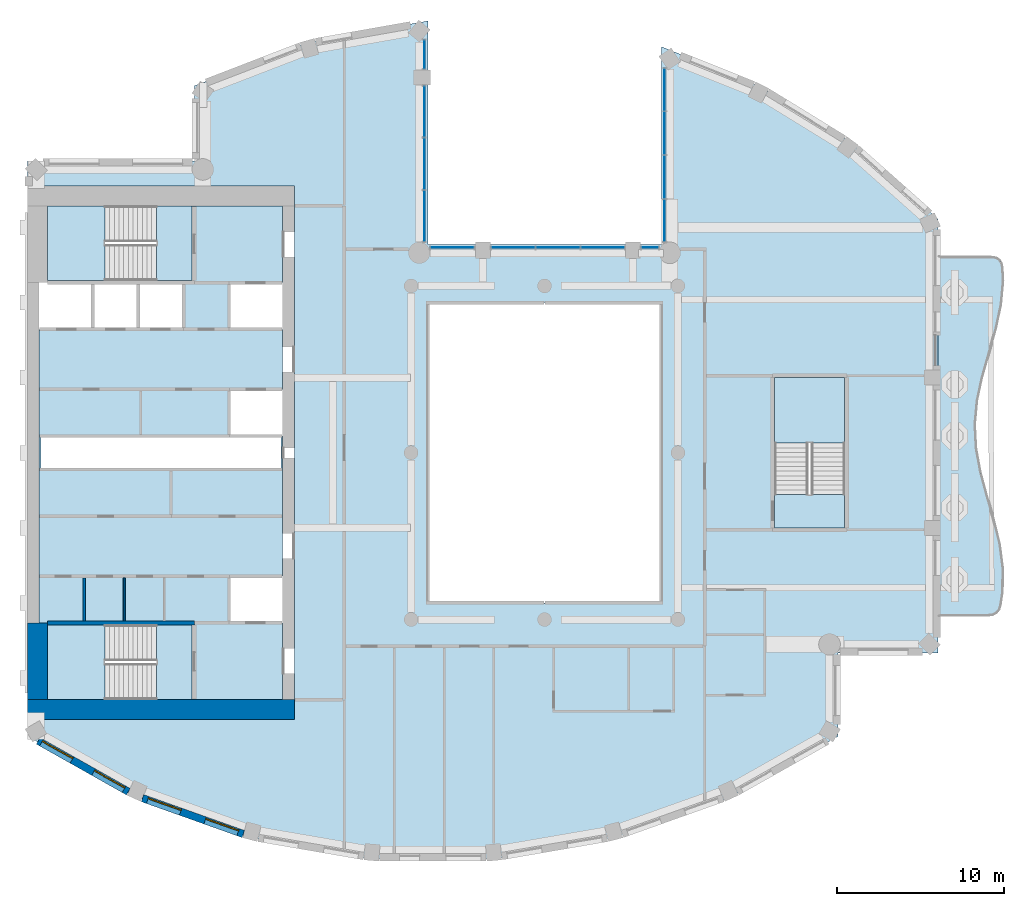
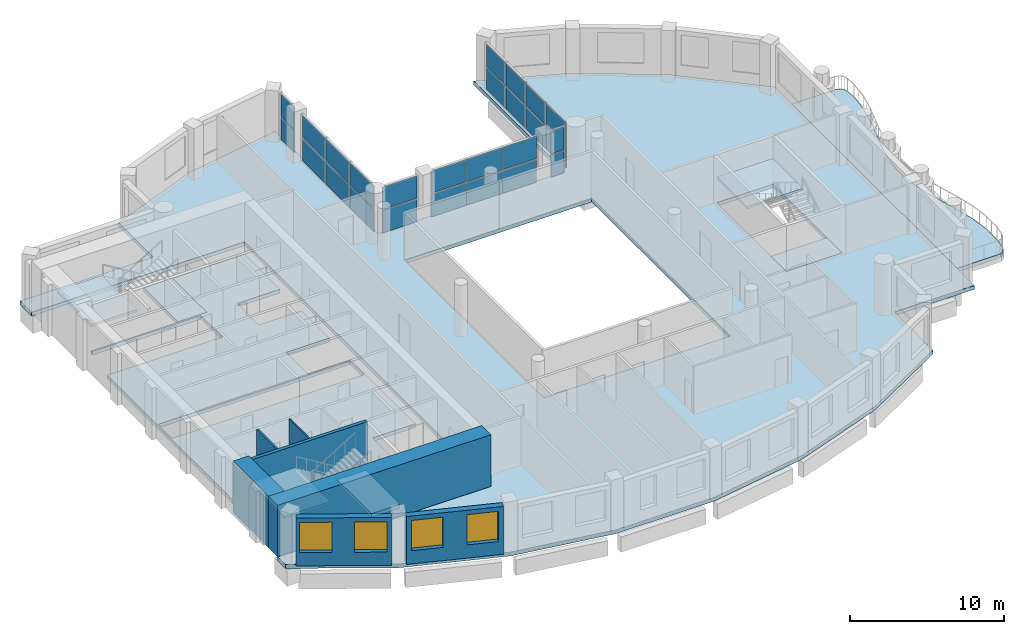
# One storey, part 4 of 15: 26 plates, 9 slabs, 7 walls, 4 windows, 4 openings, 9 elements without a shape of their own.
"""IFC4 building model written with IfcOpenShell, lengths in metres."""

from ifc_helpers import new_model, si_unit, direction, frame, frame_2d, origin, origin_2d, place, context, subcontext, project, spatial, polyline, rectangle, outline, extrude, material, layer, layer_set, type_object, element, fill, aggregate, save


model = new_model("IFC4")

# Units and contexts
model_context = context("Model", 3, precision=1e-05, world=origin(), true_north=direction((0.0, 1.0)))
body_context = subcontext(model_context, "Body", "Model", "MODEL_VIEW")
ifc_project = project(units=[si_unit("LENGTHUNIT", "METRE"), si_unit("AREAUNIT", "SQUARE_METRE"), si_unit("VOLUMEUNIT", "CUBIC_METRE"), si_unit("PLANEANGLEUNIT", "RADIAN"), si_unit("MASSUNIT", "GRAM", prefix="KILO")], contexts=[model_context])

# Site, building, storey
site_placement = place(None, origin())
site = spatial("IfcSite", under=ifc_project, at=site_placement, CompositionType="ELEMENT")
building_placement = place(site_placement, origin())
building = spatial("IfcBuilding", under=site, at=building_placement, Name="Cypress Arch Tower", CompositionType="ELEMENT")
storey_placement = place(building_placement, frame((0.0, 0.0, 243.39990234375)))
storey = spatial("IfcBuildingStorey", under=building, at=storey_placement, Name="L54", CompositionType="ELEMENT", Elevation=243.39990234375)

# Slabs
ifc_material_1 = material(Name="Concrete C40/50", Category="concrete")
ifc_layer_1 = layer(ifc_material_1, 0.300048828125)
ifc_layer_set_1 = layer_set([ifc_layer_1], Name="Balcony slab BS300")
slab_type_1 = type_object("IfcSlabType", Name="Balcony slab BS300", PredefinedType="USERDEFINED", material=ifc_layer_set_1)
slab_1_placement = place(storey_placement, frame((0.0, 0.0, -0.2998046875)))
element("IfcSlab", 1, at=slab_1_placement, inside=storey, type_object=slab_type_1, Name="Balcony slab L54-C17", ObjectType="BALCONY SLAB", PredefinedType="USERDEFINED", context=body_context, shape_type="SweptSolid", body=[
    extrude(outline(polyline([(24.60009765625, -9.75), (27.598876953125, -9.75), (27.89013671875, -9.709716796875), (28.112060546875, -9.5888671875), (28.2646484375, -9.38720703125), (28.34765625, -9.10498046875), (28.465576171875, -8.316650390625), (28.48046875, -6.88330078125), (28.29150390625, -5.449951171875), (27.9453125, -4.0166015625), (27.52685546875, -2.583251953125), (27.138427734375, -1.14990234375), (26.87548828125, 0.283447265625), (26.802490234375, 1.716552734375), (26.93701171875, 3.14990234375), (27.24658203125, 4.583251953125), (27.655029296875, 6.0166015625), (28.06201171875, 7.449951171875), (28.3681640625, 8.88330078125), (28.498291015625, 10.316650390625), (28.455322265625, 11.10498046875), (28.399658203125, 11.38720703125), (28.267578125, 11.5888671875), (28.059326171875, 11.709716796875), (27.7744140625, 11.75), (24.60009765625, 11.75), (24.60009765625, -9.75)])), origin(), (0.0, 0.0, 1.0), 0.2998046875),
])
ifc_material_2 = material(Name="Concrete C40/50", Category="concrete")
ifc_layer_2 = layer(ifc_material_2, 0.300048828125)
ifc_layer_set_2 = layer_set([ifc_layer_2], Name="Core floor CF300")
slab_type_2 = type_object("IfcSlabType", Name="Core floor CF300", PredefinedType="FLOOR", material=ifc_layer_set_2)
slab_2_placement = place(storey_placement, frame((0.0, 0.0, -0.2998046875)))
element("IfcSlab", 2, at=slab_2_placement, inside=storey, type_object=slab_type_2, Name="Core floor", PredefinedType="FLOOR", context=body_context, shape_type="SweptSolid", body=[
    extrude(outline(polyline([(-20.125, -10.324951171875), (-22.27490234375, -10.324951171875), (-28.800048828125, -10.324951171875), (-28.800048828125, -10.199951171875), (-29.300048828125, -10.199951171875), (-29.300048828125, 7.39990234375), (-26.080078125, 7.39990234375), (-23.360107421875, 7.39990234375), (-20.639892578125, 7.39990234375), (-20.639892578125, 10.199951171875), (-23.360107421875, 10.199951171875), (-26.080078125, 10.199951171875), (-28.800048828125, 10.199951171875), (-28.800048828125, 10.324951171875), (-22.27490234375, 10.324951171875), (-20.125, 10.324951171875), (-20.125, 14.800048828125), (-14.699951171875, 14.800048828125), (-14.699951171875, 10.199951171875), (-17.919921875, 10.199951171875), (-17.919921875, 7.39990234375), (-14.699951171875, 7.39990234375), (-14.699951171875, 3.800048828125), (-17.919921875, 3.800048828125), (-17.919921875, 1.0), (-14.699951171875, 1.0), (-14.699951171875, -7.39990234375), (-17.919921875, -7.39990234375), (-17.919921875, -10.199951171875), (-14.699951171875, -10.199951171875), (-14.699951171875, -14.800048828125), (-20.125, -14.800048828125), (-20.125, -10.324951171875)]), holes=[polyline([(-29.199951171875, -0.89990234375), (-14.800048828125, -0.89990234375), (-14.800048828125, 0.89990234375), (-29.199951171875, 0.89990234375), (-29.199951171875, -0.89990234375)])]), origin(), (0.0, 0.0, 1.0), 0.2998046875),
])
slab_3_placement = place(storey_placement, frame((0.0, 0.0, -0.2998046875)))
element("IfcSlab", 3, at=slab_3_placement, inside=storey, type_object=slab_type_2, Name="Core floor", PredefinedType="FLOOR", context=body_context, shape_type="SweptSolid", body=[
    extrude(outline(polyline([(-22.27490234375, -10.324951171875), (-22.27490234375, -14.800048828125), (-20.125, -14.800048828125), (-20.125, -10.324951171875), (-22.27490234375, -10.324951171875)])), origin(), (0.0, 0.0, 1.0), 0.2998046875),
])
slab_4_placement = place(storey_placement, frame((0.0, 0.0, -0.2998046875)))
element("IfcSlab", 4, at=slab_4_placement, inside=storey, type_object=slab_type_2, Name="Core floor", PredefinedType="FLOOR", context=body_context, shape_type="SweptSolid", body=[
    extrude(outline(polyline([(-20.125, 14.800048828125), (-22.27490234375, 14.800048828125), (-22.27490234375, 10.324951171875), (-20.125, 10.324951171875), (-20.125, 14.800048828125)])), origin(), (0.0, 0.0, 1.0), 0.2998046875),
])
slab_5_placement = place(storey_placement, frame((0.0, 0.0, -0.2998046875)))
element("IfcSlab", 5, at=slab_5_placement, inside=storey, type_object=slab_type_2, Name="Stair floor landing", PredefinedType="FLOOR", context=body_context, shape_type="SweptSolid", body=[
    extrude(outline(polyline([(19.0, -4.5), (19.0, -2.5), (14.800048828125, -2.5), (14.800048828125, -4.5), (19.0, -4.5)])), origin(), (0.0, 0.0, 1.0), 0.2998046875),
])

# Curtain wall, plates
ifc_material_3 = material(Name="Anodised aluminium, bronze finish, clear laminated double glazing", Category="aluminium")
curtain_wall_type = type_object("IfcCurtainWallType", Name="Curtain wall CW7 slot glazing", PredefinedType="NOTDEFINED", material=ifc_material_3)
curtain_wall_1_placement = place(storey_placement, origin())
curtain_wall_1 = element("IfcCurtainWall", 6, at=curtain_wall_1_placement, inside=storey, type_object=curtain_wall_type, Name="Curtain wall L54 slot C00.0", PredefinedType="NOTDEFINED")
ifc_material_4 = material(Name="Clear laminated double glazing", Category="glass")
ifc_layer_3 = layer(ifc_material_4, 0.0439453125)
ifc_layer_set_3 = layer_set([ifc_layer_3], Name="Glass panel CW7 44")
plate_type = type_object("IfcPlateType", Name="Glass panel CW7 44", PredefinedType="CURTAIN_PANEL", material=ifc_layer_set_3)
plate_1_placement = place(storey_placement, frame((8.199951171875, 21.768798828125, 0.085205078125), z_axis=(0.0, 0.0, 1.0), x_axis=(0.0, -1.0, 0.0)))
plate_1 = element("IfcPlate", 7, at=plate_1_placement, type_object=plate_type, Name="CW7 panel 1.1", PredefinedType="CURTAIN_PANEL", context=body_context, shape_type="SweptSolid", body=[
    extrude(rectangle(XDim=2.497802734375, YDim=0.0439453125, at=origin_2d()), origin(), (0.0, 0.0, 1.0), 1.7724609375),
])
plate_2_placement = place(storey_placement, frame((8.199951171875, 21.768798828125, 1.942626953125), z_axis=(0.0, 0.0, 1.0), x_axis=(0.0, -1.0, 0.0)))
plate_2 = element("IfcPlate", 8, at=plate_2_placement, type_object=plate_type, Name="CW7 panel 1.2", PredefinedType="CURTAIN_PANEL", context=body_context, shape_type="SweptSolid", body=[
    extrude(rectangle(XDim=2.497802734375, YDim=0.0439453125, at=origin_2d()), origin(), (0.0, 0.0, 1.0), 1.7724609375),
])
plate_3_placement = place(storey_placement, frame((8.199951171875, 19.164794921875, 0.085205078125), z_axis=(0.0, 0.0, 1.0), x_axis=(0.0, -1.0, 0.0)))
plate_3 = element("IfcPlate", 9, at=plate_3_placement, type_object=plate_type, Name="CW7 panel 2.1", PredefinedType="CURTAIN_PANEL", context=body_context, shape_type="SweptSolid", body=[
    extrude(rectangle(XDim=2.540283203125, YDim=0.0439453125, at=origin_2d()), origin(), (0.0, 0.0, 1.0), 1.7724609375),
])
plate_4_placement = place(storey_placement, frame((8.199951171875, 19.164794921875, 1.942626953125), z_axis=(0.0, 0.0, 1.0), x_axis=(0.0, -1.0, 0.0)))
plate_4 = element("IfcPlate", 10, at=plate_4_placement, type_object=plate_type, Name="CW7 panel 2.2", PredefinedType="CURTAIN_PANEL", context=body_context, shape_type="SweptSolid", body=[
    extrude(rectangle(XDim=2.540283203125, YDim=0.0439453125, at=origin_2d()), origin(), (0.0, 0.0, 1.0), 1.7724609375),
])
plate_5_placement = place(storey_placement, frame((8.199951171875, 16.53955078125, 0.085205078125), z_axis=(0.0, 0.0, 1.0), x_axis=(0.0, -1.0, 0.0)))
plate_5 = element("IfcPlate", 11, at=plate_5_placement, type_object=plate_type, Name="CW7 panel 3.1", PredefinedType="CURTAIN_PANEL", context=body_context, shape_type="SweptSolid", body=[
    extrude(rectangle(XDim=2.540283203125, YDim=0.0439453125, at=origin_2d()), origin(), (0.0, 0.0, 1.0), 1.7724609375),
])
plate_6_placement = place(storey_placement, frame((8.199951171875, 16.53955078125, 1.942626953125), z_axis=(0.0, 0.0, 1.0), x_axis=(0.0, -1.0, 0.0)))
plate_6 = element("IfcPlate", 12, at=plate_6_placement, type_object=plate_type, Name="CW7 panel 3.2", PredefinedType="CURTAIN_PANEL", context=body_context, shape_type="SweptSolid", body=[
    extrude(rectangle(XDim=2.540283203125, YDim=0.0439453125, at=origin_2d()), origin(), (0.0, 0.0, 1.0), 1.7724609375),
])
plate_7_placement = place(storey_placement, frame((8.199951171875, 13.935302734375, 0.085205078125), z_axis=(0.0, 0.0, 1.0), x_axis=(0.0, -1.0, 0.0)))
plate_7 = element("IfcPlate", 13, at=plate_7_placement, type_object=plate_type, Name="CW7 panel 4.1", PredefinedType="CURTAIN_PANEL", context=body_context, shape_type="SweptSolid", body=[
    extrude(rectangle(XDim=2.497802734375, YDim=0.0439453125, at=origin_2d()), origin(), (0.0, 0.0, 1.0), 1.7724609375),
])
plate_8_placement = place(storey_placement, frame((8.199951171875, 13.935302734375, 1.942626953125), z_axis=(0.0, 0.0, 1.0), x_axis=(0.0, -1.0, 0.0)))
plate_8 = element("IfcPlate", 14, at=plate_8_placement, type_object=plate_type, Name="CW7 panel 4.2", PredefinedType="CURTAIN_PANEL", context=body_context, shape_type="SweptSolid", body=[
    extrude(rectangle(XDim=2.497802734375, YDim=0.0439453125, at=origin_2d()), origin(), (0.0, 0.0, 1.0), 1.7724609375),
])
aggregate(curtain_wall_1, [plate_1, plate_2, plate_3, plate_4, plate_5, plate_6, plate_7, plate_8])

curtain_wall_2_placement = place(storey_placement, origin())
curtain_wall_2 = element("IfcCurtainWall", 15, at=curtain_wall_2_placement, inside=storey, type_object=curtain_wall_type, Name="Curtain wall L54 slot C01.0", PredefinedType="NOTDEFINED")
plate_9_placement = place(storey_placement, frame((7.32421875, 12.300048828125, 0.085205078125), z_axis=(0.0, 0.0, 1.0), x_axis=(-1.0, 0.0, 0.0)))
plate_9 = element("IfcPlate", 16, at=plate_9_placement, type_object=plate_type, Name="CW7 panel 1.1", PredefinedType="CURTAIN_PANEL", context=body_context, shape_type="SweptSolid", body=[
    extrude(rectangle(XDim=0.978515625, YDim=0.0439453125, at=origin_2d()), origin(), (0.0, 0.0, 1.0), 1.7724609375),
])
plate_10_placement = place(storey_placement, frame((7.32421875, 12.300048828125, 1.942626953125), z_axis=(0.0, 0.0, 1.0), x_axis=(-1.0, 0.0, 0.0)))
plate_10 = element("IfcPlate", 17, at=plate_10_placement, type_object=plate_type, Name="CW7 panel 1.2", PredefinedType="CURTAIN_PANEL", context=body_context, shape_type="SweptSolid", body=[
    extrude(rectangle(XDim=0.978515625, YDim=0.0439453125, at=origin_2d()), origin(), (0.0, 0.0, 1.0), 1.7724609375),
])
aggregate(curtain_wall_2, [plate_9, plate_10])

curtain_wall_3_placement = place(storey_placement, origin())
curtain_wall_3 = element("IfcCurtainWall", 18, at=curtain_wall_3_placement, inside=storey, type_object=curtain_wall_type, Name="Curtain wall L54 slot C01.1", PredefinedType="NOTDEFINED")
plate_11_placement = place(storey_placement, frame((4.478759765625, 12.300048828125, 0.085205078125), z_axis=(0.0, 0.0, 1.0), x_axis=(-1.0, 0.0, 0.0)))
plate_11 = element("IfcPlate", 19, at=plate_11_placement, type_object=plate_type, Name="CW7 panel 1.1", PredefinedType="CURTAIN_PANEL", context=body_context, shape_type="SweptSolid", body=[
    extrude(rectangle(XDim=2.572509765625, YDim=0.0439453125, at=origin_2d()), origin(), (0.0, 0.0, 1.0), 1.7724609375),
])
plate_12_placement = place(storey_placement, frame((4.478759765625, 12.300048828125, 1.942626953125), z_axis=(0.0, 0.0, 1.0), x_axis=(-1.0, 0.0, 0.0)))
plate_12 = element("IfcPlate", 20, at=plate_12_placement, type_object=plate_type, Name="CW7 panel 1.2", PredefinedType="CURTAIN_PANEL", context=body_context, shape_type="SweptSolid", body=[
    extrude(rectangle(XDim=2.572509765625, YDim=0.0439453125, at=origin_2d()), origin(), (0.0, 0.0, 1.0), 1.7724609375),
])
plate_13_placement = place(storey_placement, frame((1.800048828125, 12.300048828125, 0.085205078125), z_axis=(0.0, 0.0, 1.0), x_axis=(-1.0, 0.0, 0.0)))
plate_13 = element("IfcPlate", 21, at=plate_13_placement, type_object=plate_type, Name="CW7 panel 2.1", PredefinedType="CURTAIN_PANEL", context=body_context, shape_type="SweptSolid", body=[
    extrude(rectangle(XDim=2.614990234375, YDim=0.0439453125, at=origin_2d()), origin(), (0.0, 0.0, 1.0), 1.7724609375),
])
plate_14_placement = place(storey_placement, frame((1.800048828125, 12.300048828125, 1.942626953125), z_axis=(0.0, 0.0, 1.0), x_axis=(-1.0, 0.0, 0.0)))
plate_14 = element("IfcPlate", 22, at=plate_14_placement, type_object=plate_type, Name="CW7 panel 2.2", PredefinedType="CURTAIN_PANEL", context=body_context, shape_type="SweptSolid", body=[
    extrude(rectangle(XDim=2.614990234375, YDim=0.0439453125, at=origin_2d()), origin(), (0.0, 0.0, 1.0), 1.7724609375),
])
plate_15_placement = place(storey_placement, frame((-0.878662109375, 12.300048828125, 0.085205078125), z_axis=(0.0, 0.0, 1.0), x_axis=(-1.0, 0.0, 0.0)))
plate_15 = element("IfcPlate", 23, at=plate_15_placement, type_object=plate_type, Name="CW7 panel 3.1", PredefinedType="CURTAIN_PANEL", context=body_context, shape_type="SweptSolid", body=[
    extrude(rectangle(XDim=2.572509765625, YDim=0.0439453125, at=origin_2d()), origin(), (0.0, 0.0, 1.0), 1.7724609375),
])
plate_16_placement = place(storey_placement, frame((-0.878662109375, 12.300048828125, 1.942626953125), z_axis=(0.0, 0.0, 1.0), x_axis=(-1.0, 0.0, 0.0)))
plate_16 = element("IfcPlate", 24, at=plate_16_placement, type_object=plate_type, Name="CW7 panel 3.2", PredefinedType="CURTAIN_PANEL", context=body_context, shape_type="SweptSolid", body=[
    extrude(rectangle(XDim=2.572509765625, YDim=0.0439453125, at=origin_2d()), origin(), (0.0, 0.0, 1.0), 1.7724609375),
])
aggregate(curtain_wall_3, [plate_11, plate_12, plate_13, plate_14, plate_15, plate_16])

curtain_wall_4_placement = place(storey_placement, origin())
curtain_wall_4 = element("IfcCurtainWall", 25, at=curtain_wall_4_placement, inside=storey, type_object=curtain_wall_type, Name="Curtain wall L54 slot C01.2", PredefinedType="NOTDEFINED")
plate_17_placement = place(storey_placement, frame((-4.524169921875, 12.300048828125, 0.085205078125), z_axis=(0.0, 0.0, 1.0), x_axis=(-1.0, 0.0, 0.0)))
plate_17 = element("IfcPlate", 26, at=plate_17_placement, type_object=plate_type, Name="CW7 panel 1.1", PredefinedType="CURTAIN_PANEL", context=body_context, shape_type="SweptSolid", body=[
    extrude(rectangle(XDim=2.57861328125, YDim=0.0439453125, at=origin_2d()), origin(), (0.0, 0.0, 1.0), 1.7724609375),
])
plate_18_placement = place(storey_placement, frame((-4.524169921875, 12.300048828125, 1.942626953125), z_axis=(0.0, 0.0, 1.0), x_axis=(-1.0, 0.0, 0.0)))
plate_18 = element("IfcPlate", 27, at=plate_18_placement, type_object=plate_type, Name="CW7 panel 1.2", PredefinedType="CURTAIN_PANEL", context=body_context, shape_type="SweptSolid", body=[
    extrude(rectangle(XDim=2.57861328125, YDim=0.0439453125, at=origin_2d()), origin(), (0.0, 0.0, 1.0), 1.7724609375),
])
aggregate(curtain_wall_4, [plate_17, plate_18])

curtain_wall_5_placement = place(storey_placement, origin())
curtain_wall_5 = element("IfcCurtainWall", 28, at=curtain_wall_5_placement, inside=storey, type_object=curtain_wall_type, Name="Curtain wall L54 slot C02.0", PredefinedType="NOTDEFINED")
plate_19_placement = place(storey_placement, frame((-6.199951171875, 14.197509765625, 0.085205078125), z_axis=(0.0, 0.0, 1.0), x_axis=(0.0, 1.0, 0.0)))
plate_19 = element("IfcPlate", 29, at=plate_19_placement, type_object=plate_type, Name="CW7 panel 1.1", PredefinedType="CURTAIN_PANEL", context=body_context, shape_type="SweptSolid", body=[
    extrude(rectangle(XDim=3.02197265625, YDim=0.0439453125, at=origin_2d()), origin(), (0.0, 0.0, 1.0), 1.7724609375),
])
plate_20_placement = place(storey_placement, frame((-6.199951171875, 14.197509765625, 1.942626953125), z_axis=(0.0, 0.0, 1.0), x_axis=(0.0, 1.0, 0.0)))
plate_20 = element("IfcPlate", 30, at=plate_20_placement, type_object=plate_type, Name="CW7 panel 1.2", PredefinedType="CURTAIN_PANEL", context=body_context, shape_type="SweptSolid", body=[
    extrude(rectangle(XDim=3.02197265625, YDim=0.0439453125, at=origin_2d()), origin(), (0.0, 0.0, 1.0), 1.7724609375),
])
plate_21_placement = place(storey_placement, frame((-6.199951171875, 17.32568359375, 0.085205078125), z_axis=(0.0, 0.0, 1.0), x_axis=(0.0, 1.0, 0.0)))
plate_21 = element("IfcPlate", 31, at=plate_21_placement, type_object=plate_type, Name="CW7 panel 2.1", PredefinedType="CURTAIN_PANEL", context=body_context, shape_type="SweptSolid", body=[
    extrude(rectangle(XDim=3.064453125, YDim=0.0439453125, at=origin_2d()), origin(), (0.0, 0.0, 1.0), 1.7724609375),
])
plate_22_placement = place(storey_placement, frame((-6.199951171875, 17.32568359375, 1.942626953125), z_axis=(0.0, 0.0, 1.0), x_axis=(0.0, 1.0, 0.0)))
plate_22 = element("IfcPlate", 32, at=plate_22_placement, type_object=plate_type, Name="CW7 panel 2.2", PredefinedType="CURTAIN_PANEL", context=body_context, shape_type="SweptSolid", body=[
    extrude(rectangle(XDim=3.064453125, YDim=0.0439453125, at=origin_2d()), origin(), (0.0, 0.0, 1.0), 1.7724609375),
])
plate_23_placement = place(storey_placement, frame((-6.199951171875, 20.4541015625, 0.085205078125), z_axis=(0.0, 0.0, 1.0), x_axis=(0.0, 1.0, 0.0)))
plate_23 = element("IfcPlate", 33, at=plate_23_placement, type_object=plate_type, Name="CW7 panel 3.1", PredefinedType="CURTAIN_PANEL", context=body_context, shape_type="SweptSolid", body=[
    extrude(rectangle(XDim=3.02197265625, YDim=0.0439453125, at=origin_2d()), origin(), (0.0, 0.0, 1.0), 1.7724609375),
])
plate_24_placement = place(storey_placement, frame((-6.199951171875, 20.4541015625, 1.942626953125), z_axis=(0.0, 0.0, 1.0), x_axis=(0.0, 1.0, 0.0)))
plate_24 = element("IfcPlate", 34, at=plate_24_placement, type_object=plate_type, Name="CW7 panel 3.2", PredefinedType="CURTAIN_PANEL", context=body_context, shape_type="SweptSolid", body=[
    extrude(rectangle(XDim=3.02197265625, YDim=0.0439453125, at=origin_2d()), origin(), (0.0, 0.0, 1.0), 1.7724609375),
])
aggregate(curtain_wall_5, [plate_19, plate_20, plate_21, plate_22, plate_23, plate_24])

curtain_wall_6_placement = place(storey_placement, origin())
curtain_wall_6 = element("IfcCurtainWall", 35, at=curtain_wall_6_placement, inside=storey, type_object=curtain_wall_type, Name="Curtain wall L54 slot C02.1", PredefinedType="NOTDEFINED")
plate_25_placement = place(storey_placement, frame((-6.199951171875, 23.89111328125, 0.085205078125), z_axis=(0.0, 0.0, 1.0), x_axis=(0.0, 1.0, 0.0)))
plate_25 = element("IfcPlate", 36, at=plate_25_placement, type_object=plate_type, Name="CW7 panel 1.1", PredefinedType="CURTAIN_PANEL", context=body_context, shape_type="SweptSolid", body=[
    extrude(rectangle(XDim=1.71240234375, YDim=0.0439453125, at=origin_2d()), origin(), (0.0, 0.0, 1.0), 1.7724609375),
])
plate_26_placement = place(storey_placement, frame((-6.199951171875, 23.89111328125, 1.942626953125), z_axis=(0.0, 0.0, 1.0), x_axis=(0.0, 1.0, 0.0)))
plate_26 = element("IfcPlate", 37, at=plate_26_placement, type_object=plate_type, Name="CW7 panel 1.2", PredefinedType="CURTAIN_PANEL", context=body_context, shape_type="SweptSolid", body=[
    extrude(rectangle(XDim=1.71240234375, YDim=0.0439453125, at=origin_2d()), origin(), (0.0, 0.0, 1.0), 1.7724609375),
])
aggregate(curtain_wall_6, [plate_25, plate_26])

# Slab
ifc_material_5 = material(Name="Concrete C40/50", Category="concrete")
ifc_layer_4 = layer(ifc_material_5, 0.300048828125)
ifc_layer_set_4 = layer_set([ifc_layer_4], Name="PT flat slab 300 Concrete C40/50")
slab_type_3 = type_object("IfcSlabType", Name="PT flat slab 300 Concrete C40/50", PredefinedType="FLOOR", material=ifc_layer_set_4)
slab_6_placement = place(storey_placement, frame((0.0, 0.0, -0.2998046875)))
element("IfcSlab", 38, at=slab_6_placement, inside=storey, type_object=slab_type_3, Name="Floor slab L54", PredefinedType="FLOOR", context=body_context, shape_type="SweptSolid", body=[
    extrude(outline(polyline([(-30.0, 17.5), (-20.0, 17.5), (-20.0, 22.0), (-13.199951171875, 24.6201171875), (-6.0, 25.889892578125), (-6.0, 12.5), (8.0, 12.5), (8.0, 24.35009765625), (14.0, 21.93994140625), (19.39990234375, 18.6201171875), (24.60009765625, 14.0), (24.60009765625, -12.0), (18.60009765625, -12.0), (18.60009765625, -17.0), (12.179931640625, -20.6201171875), (5.239990234375, -23.090087890625), (-2.02001953125, -24.340087890625), (-9.3798828125, -24.340087890625), (-16.639892578125, -23.090087890625), (-23.580078125, -20.6201171875), (-30.0, -17.0), (-30.0, -16.0), (-14.0, -16.0), (-14.0, 16.0), (-30.0, 16.0), (-30.0, 17.5)]), holes=[polyline([(-6.0, -9.0), (8.0, -9.0), (8.0, 9.0), (-6.0, 9.0), (-6.0, -9.0)]), polyline([(14.800048828125, -4.5), (19.0, -4.5), (19.0, 4.5), (14.800048828125, 4.5), (14.800048828125, -4.5)])]), origin(), (0.0, 0.0, 1.0), 0.2998046875),
])

# Stair, slab
ifc_material_6 = material(Name="Concrete C40/50", Category="concrete")
stair_type_1 = type_object("IfcStairType", Name="Exit stair ES1708-215", PredefinedType="HALF_TURN_STAIR", material=ifc_material_6)
stair_1_placement = place(storey_placement, origin())
stair_1 = element("IfcStair", 39, at=stair_1_placement, inside=storey, type_object=stair_type_1, Name="L54 Exit stair A", PredefinedType="HALF_TURN_STAIR")
ifc_material_7 = material(Name="Concrete C40/50", Category="concrete")
ifc_layer_5 = layer(ifc_material_7, 0.199951171875)
ifc_layer_set_5 = layer_set([ifc_layer_5], Name="Stair landing SL200")
slab_type_4 = type_object("IfcSlabType", Name="Stair landing SL200", PredefinedType="LANDING", material=ifc_layer_set_5)
slab_7_placement = place(storey_placement, frame((0.0, 0.0, 1.85009765625)))
slab_7 = element("IfcSlab", 40, at=slab_7_placement, type_object=slab_type_4, Name="A landing 1", PredefinedType="LANDING", context=body_context, shape_type="SweptSolid", body=[
    extrude(outline(polyline([(-25.35498046875, -10.324951171875), (-28.800048828125, -10.324951171875), (-28.800048828125, -14.800048828125), (-25.35498046875, -14.800048828125), (-25.35498046875, -10.324951171875)])), origin(), (0.0, 0.0, 1.0), 0.199951171875),
])
aggregate(stair_1, [slab_7])

stair_2_placement = place(storey_placement, origin())
stair_2 = element("IfcStair", 41, at=stair_2_placement, inside=storey, type_object=stair_type_1, Name="L54 Exit stair B", PredefinedType="HALF_TURN_STAIR")
slab_8_placement = place(storey_placement, frame((0.0, 0.0, 1.85009765625)))
slab_8 = element("IfcSlab", 42, at=slab_8_placement, type_object=slab_type_4, Name="B landing 1", PredefinedType="LANDING", context=body_context, shape_type="SweptSolid", body=[
    extrude(outline(polyline([(-25.35498046875, 14.800048828125), (-28.800048828125, 14.800048828125), (-28.800048828125, 10.324951171875), (-25.35498046875, 10.324951171875), (-25.35498046875, 14.800048828125)])), origin(), (0.0, 0.0, 1.0), 0.199951171875),
])
aggregate(stair_2, [slab_8])

ifc_material_8 = material(Name="Concrete C40/50", Category="concrete")
stair_type_2 = type_object("IfcStairType", Name="Exit stair ES1708-200", PredefinedType="HALF_TURN_STAIR", material=ifc_material_8)
stair_3_placement = place(storey_placement, origin())
stair_3 = element("IfcStair", 43, at=stair_3_placement, inside=storey, type_object=stair_type_2, Name="L54 Exit stair C", PredefinedType="HALF_TURN_STAIR")
slab_9_placement = place(storey_placement, frame((0.0, 0.0, 1.85009765625)))
slab_9 = element("IfcSlab", 44, at=slab_9_placement, type_object=slab_type_4, Name="C landing 1", PredefinedType="LANDING", context=body_context, shape_type="SweptSolid", body=[
    extrude(outline(polyline([(19.0, 0.580078125), (19.0, 4.5), (14.800048828125, 4.5), (14.800048828125, 0.580078125), (19.0, 0.580078125)])), origin(), (0.0, 0.0, 1.0), 0.199951171875),
])
aggregate(stair_3, [slab_9])

# Wall, openings, windows
ifc_material_9 = material(Name="Brick (red buff blend)", Category="masonry")
ifc_layer_6 = layer(ifc_material_9, 0.449951171875)
ifc_layer_set_6 = layer_set([ifc_layer_6], Name="Brick pier and spandrel wall BW450")
wall_type_1 = type_object("IfcWallType", Name="Brick pier and spandrel wall BW450", PredefinedType="SOLIDWALL", material=ifc_layer_set_6)
wall_1_placement = place(storey_placement, frame((-29.3564453125, -17.276611328125, 0.0), z_axis=(0.0, 0.0, 1.0), x_axis=(0.871065783524, -0.491166367714, 0.0)))
wall_1 = element("IfcWall", 45, at=wall_1_placement, inside=storey, type_object=wall_type_1, Name="Brick wall L54 C08.0", PredefinedType="SOLIDWALL", context=body_context, shape_type="SweptSolid", body=[
    extrude(rectangle(XDim=6.1962890625, YDim=0.449951171875, at=frame_2d((3.09814453125, 0.0))), origin(), (0.0, 0.0, 1.0), 3.800048828125),
])
opening_1_placement = place(wall_1_placement, frame((0.22119140625, 0.0, 1.050048828125)))
opening_1 = element("IfcOpeningElement", 46, at=opening_1_placement, cuts=wall_1, Name="Opening W210O", PredefinedType="OPENING", context=body_context, shape_type="SweptSolid", body=[
    extrude(rectangle(XDim=2.10009765625, YDim=2.39990234375, at=frame_2d((1.050048828125, 1.199951171875))), frame((0.0, 0.23486328125, 0.0), z_axis=(0.0, -1.0, 0.0), x_axis=(1.0, 0.0, 0.0)), (0.0, 0.0, 1.0), 0.469970703125),
])
opening_2_placement = place(wall_1_placement, frame((3.8056640625, 0.0, 1.050048828125)))
opening_2 = element("IfcOpeningElement", 47, at=opening_2_placement, cuts=wall_1, Name="Opening W210O", PredefinedType="OPENING", context=body_context, shape_type="SweptSolid", body=[
    extrude(rectangle(XDim=2.10009765625, YDim=2.39990234375, at=frame_2d((1.050048828125, 1.199951171875))), frame((0.0, 0.23486328125, 0.0), z_axis=(0.0, -1.0, 0.0), x_axis=(1.0, 0.0, 0.0)), (0.0, 0.0, 1.0), 0.469970703125),
])
ifc_material_10 = material(Name="Anodised aluminium, bronze finish, clear low-emissivity double glazing", Category="aluminium")
window_type = type_object("IfcWindowType", Name="Window Office 2100x2400", PartitioningType="SINGLE_PANEL", PredefinedType="WINDOW", material=ifc_material_10)
window_1_placement = place(opening_1_placement, origin())
window_1 = element("IfcWindow", 48, at=window_1_placement, inside=storey, type_object=window_type, Name="Window L54 C08.0.1", OverallHeight=2.39990234375, OverallWidth=2.10009765625, PartitioningType="SINGLE_PANEL", PredefinedType="WINDOW", context=body_context, shape_type="SweptSolid", body=[
    extrude(rectangle(XDim=2.10009765625, YDim=2.39990234375, at=frame_2d((1.050048828125, 1.199951171875))), frame((0.0, 0.135009765625, 0.0), z_axis=(0.0, -1.0, 0.0), x_axis=(1.0, 0.0, 0.0)), (0.0, 0.0, 1.0), 0.06005859375),
])
fill(opening_1, window_1)
window_2_placement = place(opening_2_placement, origin())
window_2 = element("IfcWindow", 49, at=window_2_placement, inside=storey, type_object=window_type, Name="Window L54 C08.0.2", OverallHeight=2.39990234375, OverallWidth=2.10009765625, PartitioningType="SINGLE_PANEL", PredefinedType="WINDOW", context=body_context, shape_type="SweptSolid", body=[
    extrude(rectangle(XDim=2.10009765625, YDim=2.39990234375, at=frame_2d((1.050048828125, 1.199951171875))), frame((0.0, 0.135009765625, 0.0), z_axis=(0.0, -1.0, 0.0), x_axis=(1.0, 0.0, 0.0)), (0.0, 0.0, 1.0), 0.06005859375),
])
fill(opening_2, window_2)

wall_2_placement = place(storey_placement, frame((-23.10498046875, -20.70947265625, 0.0), z_axis=(0.0, 0.0, 1.0), x_axis=(0.942104058931, -0.335320655711, 0.0)))
wall_2 = element("IfcWall", 50, at=wall_2_placement, inside=storey, type_object=wall_type_1, Name="Brick wall L54 C09.0", PredefinedType="SOLIDWALL", context=body_context, shape_type="SweptSolid", body=[
    extrude(rectangle(XDim=6.411376953125, YDim=0.449951171875, at=frame_2d((3.20556640625, 0.0))), origin(), (0.0, 0.0, 1.0), 3.800048828125),
])
opening_3_placement = place(wall_2_placement, frame((0.3271484375, 0.0, 1.050048828125)))
opening_3 = element("IfcOpeningElement", 51, at=opening_3_placement, cuts=wall_2, Name="Opening W210O", PredefinedType="OPENING", context=body_context, shape_type="SweptSolid", body=[
    extrude(rectangle(XDim=2.10009765625, YDim=2.39990234375, at=frame_2d((1.050048828125, 1.199951171875))), frame((0.0, 0.23486328125, 0.0), z_axis=(0.0, -1.0, 0.0), x_axis=(1.0, 0.0, 0.0)), (0.0, 0.0, 1.0), 0.469970703125),
])
opening_4_placement = place(wall_2_placement, frame((3.984619140625, 0.0, 1.050048828125)))
opening_4 = element("IfcOpeningElement", 52, at=opening_4_placement, cuts=wall_2, Name="Opening W210O", PredefinedType="OPENING", context=body_context, shape_type="SweptSolid", body=[
    extrude(rectangle(XDim=2.10009765625, YDim=2.39990234375, at=frame_2d((1.050048828125, 1.199951171875))), frame((0.0, 0.23486328125, 0.0), z_axis=(0.0, -1.0, 0.0), x_axis=(1.0, 0.0, 0.0)), (0.0, 0.0, 1.0), 0.469970703125),
])
window_3_placement = place(opening_3_placement, origin())
window_3 = element("IfcWindow", 53, at=window_3_placement, inside=storey, type_object=window_type, Name="Window L54 C09.0.1", OverallHeight=2.39990234375, OverallWidth=2.10009765625, PartitioningType="SINGLE_PANEL", PredefinedType="WINDOW", context=body_context, shape_type="SweptSolid", body=[
    extrude(rectangle(XDim=2.10009765625, YDim=2.39990234375, at=frame_2d((1.050048828125, 1.199951171875))), frame((0.0, 0.135009765625, 0.0), z_axis=(0.0, -1.0, 0.0), x_axis=(1.0, 0.0, 0.0)), (0.0, 0.0, 1.0), 0.06005859375),
])
fill(opening_3, window_3)
window_4_placement = place(opening_4_placement, origin())
window_4 = element("IfcWindow", 54, at=window_4_placement, inside=storey, type_object=window_type, Name="Window L54 C09.0.2", OverallHeight=2.39990234375, OverallWidth=2.10009765625, PartitioningType="SINGLE_PANEL", PredefinedType="WINDOW", context=body_context, shape_type="SweptSolid", body=[
    extrude(rectangle(XDim=2.10009765625, YDim=2.39990234375, at=frame_2d((1.050048828125, 1.199951171875))), frame((0.0, 0.135009765625, 0.0), z_axis=(0.0, -1.0, 0.0), x_axis=(1.0, 0.0, 0.0)), (0.0, 0.0, 1.0), 0.06005859375),
])
fill(opening_4, window_4)

# Walls
ifc_material_11 = material(Name="Concrete C60/75", Category="concrete")
ifc_layer_7 = layer(ifc_material_11, 1.199951171875)
ifc_layer_set_7 = layer_set([ifc_layer_7], Name="Core wall CW1200 C60/75")
wall_type_2 = type_object("IfcWallType", Name="Core wall CW1200 C60/75", PredefinedType="SHEAR", material=ifc_layer_set_7)
wall_3_placement = place(storey_placement, frame((-30.0, -15.39990234375, 0.0), z_axis=(0.0, 0.0, 1.0), x_axis=(1.0, 0.0, 0.0)))
element("IfcWall", 55, at=wall_3_placement, inside=storey, type_object=wall_type_2, Name="Core wall", PredefinedType="SHEAR", context=body_context, shape_type="SweptSolid", body=[
    extrude(rectangle(XDim=16.0, YDim=1.199951171875, at=frame_2d((8.0, 0.0))), origin(), (0.0, 0.0, 1.0), 4.10009765625),
])
wall_4_placement = place(storey_placement, frame((-29.39990234375, -14.800048828125, 0.0), z_axis=(0.0, 0.0, 1.0), x_axis=(0.0, 1.0, 0.0)))
element("IfcWall", 56, at=wall_4_placement, inside=storey, type_object=wall_type_2, Name="Core wall", PredefinedType="SHEAR", context=body_context, shape_type="SweptSolid", body=[
    extrude(rectangle(XDim=4.60009765625, YDim=1.199951171875, at=frame_2d((2.300048828125, 0.0))), origin(), (0.0, 0.0, 1.0), 4.10009765625),
])
ifc_material_12 = material(Name="Blockwork, plastered both sides", Category="masonry")
ifc_layer_8 = layer(ifc_material_12, 0.14990234375)
ifc_layer_set_8 = layer_set([ifc_layer_8], Name="Partition PW150")
wall_type_3 = type_object("IfcWallType", Name="Partition PW150", PredefinedType="PARTITIONING", material=ifc_layer_set_8)
wall_5_placement = place(storey_placement, frame((-26.60009765625, -10.074951171875, 0.0), z_axis=(0.0, 0.0, 1.0), x_axis=(0.0, 1.0, 0.0)))
element("IfcWall", 57, at=wall_5_placement, inside=storey, type_object=wall_type_3, Name="Partition", PredefinedType="PARTITIONING", context=body_context, shape_type="SweptSolid", body=[
    extrude(rectangle(XDim=2.574951171875, YDim=0.14990234375, at=frame_2d((1.28759765625, 0.0))), origin(), (0.0, 0.0, 1.0), 3.800048828125),
])
ifc_material_13 = material(Name="Concrete C50/60", Category="concrete")
ifc_layer_9 = layer(ifc_material_13, 0.25)
ifc_layer_set_9 = layer_set([ifc_layer_9], Name="Stair enclosure wall SW250")
wall_type_4 = type_object("IfcWallType", Name="Stair enclosure wall SW250", PredefinedType="SHEAR", material=ifc_layer_set_9)
wall_6_placement = place(storey_placement, frame((-28.81005859375, -10.199951171875, 0.0), z_axis=(0.0, 0.0, 1.0), x_axis=(1.0, 0.0, 0.0)))
element("IfcWall", 58, at=wall_6_placement, inside=storey, type_object=wall_type_4, Name="Stair enclosure wall", PredefinedType="SHEAR", context=body_context, shape_type="SweptSolid", body=[
    extrude(rectangle(XDim=8.81005859375, YDim=0.25, at=frame_2d((4.405029296875, 0.0))), origin(), (0.0, 0.0, 1.0), 3.800048828125),
])
ifc_material_14 = material(Name="Moisture resistant board on steel studs, tiled", Category="steel")
ifc_layer_10 = layer(ifc_material_14, 0.10009765625)
ifc_layer_set_10 = layer_set([ifc_layer_10], Name="Wet wall PW100")
wall_type_5 = type_object("IfcWallType", Name="Wet wall PW100", PredefinedType="PARTITIONING", material=ifc_layer_set_10)
wall_7_placement = place(storey_placement, frame((-24.199951171875, -10.074951171875, 0.0), z_axis=(0.0, 0.0, 1.0), x_axis=(0.0, 1.0, 0.0)))
element("IfcWall", 59, at=wall_7_placement, inside=storey, type_object=wall_type_5, Name="Wet wall", PredefinedType="PARTITIONING", context=body_context, shape_type="SweptSolid", body=[
    extrude(rectangle(XDim=2.574951171875, YDim=0.10009765625, at=frame_2d((1.28759765625, 0.0))), origin(), (0.0, 0.0, 1.0), 3.800048828125),
])

save(model, "model.ifc")
